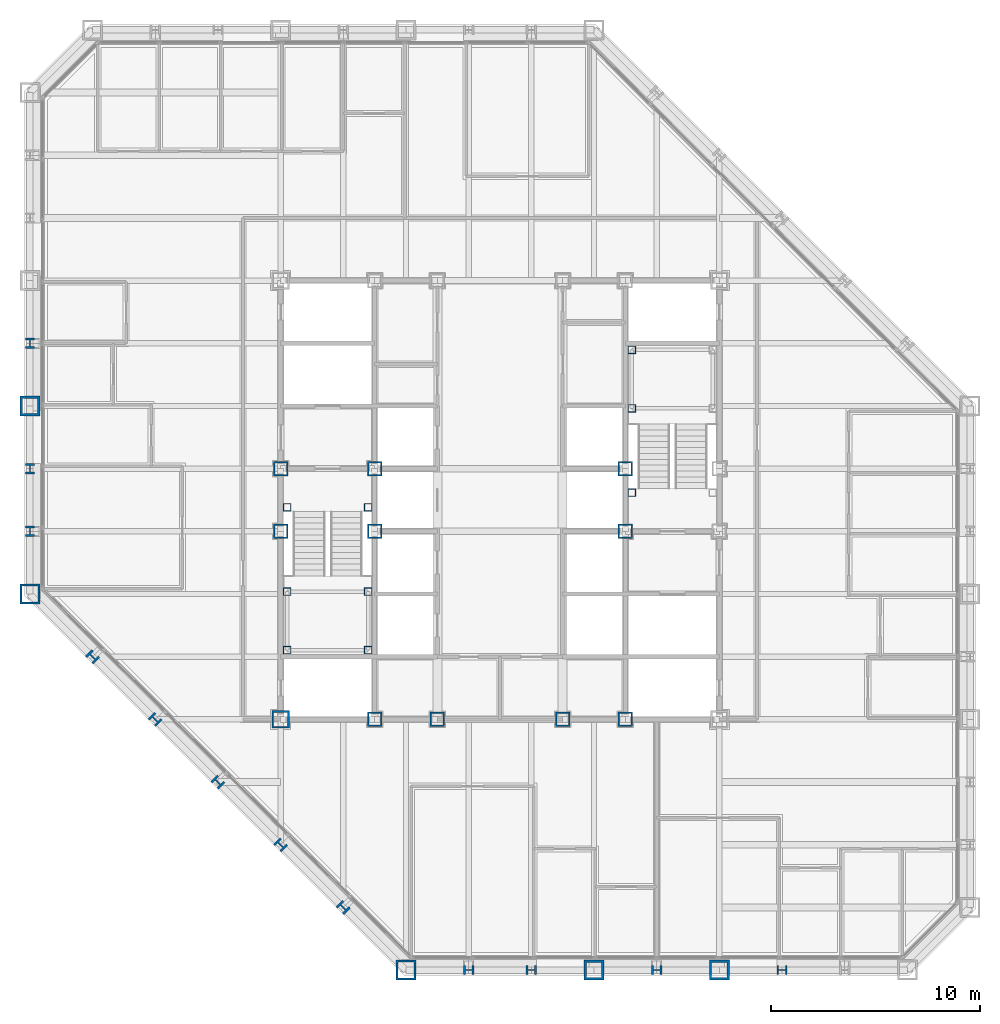
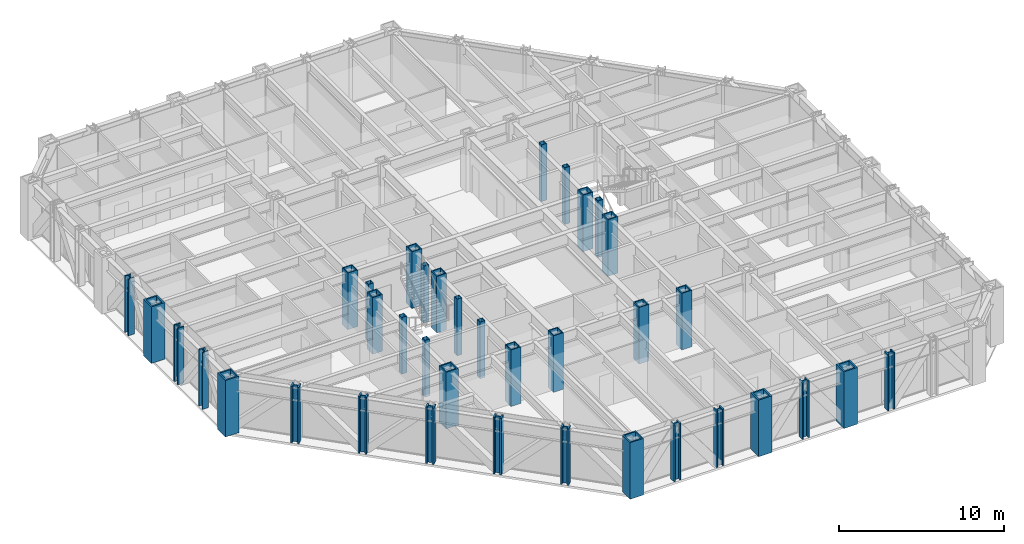
# One storey, part 1 of 16: 37 columns.
"""IFC4 building model written with IfcOpenShell, lengths in metres."""

from ifc_helpers import new_model, si_unit, direction, frame, origin, origin_2d, place, context, subcontext, project, spatial, hollow_rectangle, i_section, extrude, material, material_profile, profile_set, type_object, element, save


model = new_model("IFC4")

# Units and contexts
model_context = context("Model", 3, precision=1e-05, world=origin(), true_north=direction((0.0, 1.0)))
body_context = subcontext(model_context, "Body", "Model", "MODEL_VIEW")
ifc_project = project(units=[si_unit("LENGTHUNIT", "METRE"), si_unit("AREAUNIT", "SQUARE_METRE"), si_unit("VOLUMEUNIT", "CUBIC_METRE"), si_unit("PLANEANGLEUNIT", "RADIAN"), si_unit("MASSUNIT", "GRAM", prefix="KILO")], contexts=[model_context])

# Site, building, storey
site_placement = place(None, origin())
site = spatial("IfcSite", under=ifc_project, at=site_placement, CompositionType="ELEMENT")
building_placement = place(site_placement, origin())
building = spatial("IfcBuilding", under=site, at=building_placement, Name="Chuquiago Exchange Tower", CompositionType="ELEMENT")
storey_placement = place(building_placement, frame((0.0, 0.0, 123.60009765625)))
storey = spatial("IfcBuildingStorey", under=building, at=storey_placement, Name="L26", CompositionType="ELEMENT", Elevation=123.60009765625)

# Columns
ifc_material_1 = material(Name="Steel ASTM A992", Category="steel")
ifc_material_profile_1 = material_profile(ifc_material_1, i_section(OverallWidth=0.431884765625, OverallDepth=0.497802734375, WebThickness=0.0556640625, FlangeThickness=0.0888671875, at=origin_2d()), Name="W14X500")
ifc_profile_set_1 = profile_set([ifc_material_profile_1], Name="Steel ASTM A992")
column_type_1 = type_object("IfcColumnType", Name="C3 W14X500", PredefinedType="COLUMN", material=ifc_profile_set_1)
for number, where, z_axis, x_axis, name in (
    (1, (21.0, 0.0, 0.0), (0.0, 0.0, 1.0), (0.0, -1.0, 0.0), "COL-L26-21_0"),
    (2, (24.0, 0.0, 0.0), (0.0, 0.0, 1.0), (0.0, -1.0, 0.0), "COL-L26-24_0"),
    (3, (30.0, 0.0, 0.0), (0.0, 0.0, 1.0), (0.0, -1.0, 0.0), "COL-L26-30_0"),
    (4, (36.0, 0.0, 0.0), (0.0, 0.0, 1.0), (0.0, -1.0, 0.0), "COL-L26-36_0"),
    (5, (0.0, 30.0, 0.0), (0.0, 0.0, 1.0), (-1.0, 0.0, 0.0), "COL-L26-0_30"),
    (6, (0.0, 24.0, 0.0), (0.0, 0.0, 1.0), (-1.0, 0.0, 0.0), "COL-L26-0_24"),
    (7, (0.0, 21.0, 0.0), (0.0, 0.0, 1.0), (-1.0, 0.0, 0.0), "COL-L26-0_21"),
):
    element("IfcColumn", number, at=place(storey_placement, frame(where, z_axis=z_axis, x_axis=x_axis)), inside=storey, type_object=column_type_1, Name=name, PredefinedType="COLUMN", context=body_context, shape_type="SweptSolid", body=[
        extrude(i_section(OverallWidth=0.431884765625, OverallDepth=0.497802734375, WebThickness=0.0556640625, FlangeThickness=0.0888671875, at=origin_2d()), origin(), (0.0, 0.0, 1.0), 4.199951171875),
    ])
ifc_material_2 = material(Name="Steel ASTM A572 Grade 50", Category="steel")
ifc_material_profile_2 = material_profile(ifc_material_2, hollow_rectangle(XDim=0.699951171875, YDim=0.699951171875, WallThickness=0.070068359375, at=origin_2d()), Name="BOX700X700X70")
ifc_profile_set_2 = profile_set([ifc_material_profile_2], Name="Steel ASTM A572 Grade 50")
column_type_2 = type_object("IfcColumnType", Name="CC3 BOX700X700X70", PredefinedType="COLUMN", material=ifc_profile_set_2)
for number, where, z_axis, x_axis, name in (
    (8, (16.5, 12.0, 0.0), (0.0, 0.0, 1.0), (1.0, 0.0, 0.0), "CCOL-L26-16.5_12"),
    (9, (19.5, 12.0, 0.0), (0.0, 0.0, 1.0), (1.0, 0.0, 0.0), "CCOL-L26-19.5_12"),
    (10, (25.5, 12.0, 0.0), (0.0, 0.0, 1.0), (1.0, 0.0, 0.0), "CCOL-L26-25.5_12"),
    (11, (28.5, 12.0, 0.0), (0.0, 0.0, 1.0), (1.0, 0.0, 0.0), "CCOL-L26-28.5_12"),
    (12, (12.0, 21.0, 0.0), (0.0, 0.0, 1.0), (1.0, 0.0, 0.0), "CCOL-L26-12_21"),
    (13, (12.0, 24.0, 0.0), (0.0, 0.0, 1.0), (1.0, 0.0, 0.0), "CCOL-L26-12_24"),
    (14, (16.5, 21.0, 0.0), (0.0, 0.0, 1.0), (1.0, 0.0, 0.0), "CCOL-L26-16.5_21"),
    (15, (16.5, 24.0, 0.0), (0.0, 0.0, 1.0), (1.0, 0.0, 0.0), "CCOL-L26-16.5_24"),
    (16, (28.5, 21.0, 0.0), (0.0, 0.0, 1.0), (1.0, 0.0, 0.0), "CCOL-L26-28.5_21"),
    (17, (28.5, 24.0, 0.0), (0.0, 0.0, 1.0), (1.0, 0.0, 0.0), "CCOL-L26-28.5_24"),
):
    element("IfcColumn", number, at=place(storey_placement, frame(where, z_axis=z_axis, x_axis=x_axis)), inside=storey, type_object=column_type_2, Name=name, PredefinedType="COLUMN", context=body_context, shape_type="SweptSolid", body=[
        extrude(hollow_rectangle(XDim=0.699951171875, YDim=0.699951171875, WallThickness=0.070068359375, at=origin_2d()), origin(), (0.0, 0.0, 1.0), 4.199951171875),
    ])
ifc_material_3 = material(Name="Steel ASTM A572 Grade 50", Category="steel")
ifc_material_profile_3 = material_profile(ifc_material_3, hollow_rectangle(XDim=0.85009765625, YDim=0.85009765625, WallThickness=0.0849609375, at=origin_2d()), Name="BOX850X850X85")
ifc_profile_set_3 = profile_set([ifc_material_profile_3], Name="Steel ASTM A572 Grade 50")
column_type_3 = type_object("IfcColumnType", Name="CC6 BOX850X850X85", PredefinedType="COLUMN", material=ifc_profile_set_3)
column_placement = place(storey_placement, frame((12.0, 12.0, 0.0), z_axis=(0.0, 0.0, 1.0), x_axis=(1.0, 0.0, 0.0)))
element("IfcColumn", 18, at=column_placement, inside=storey, type_object=column_type_3, Name="CCOL-L26-12_12", PredefinedType="COLUMN", context=body_context, shape_type="SweptSolid", body=[
    extrude(hollow_rectangle(XDim=0.85009765625, YDim=0.85009765625, WallThickness=0.0849609375, at=origin_2d()), origin(), (0.0, 0.0, 1.0), 4.199951171875),
])
ifc_material_4 = material(Name="Steel ASTM A992", Category="steel")
ifc_material_profile_4 = material_profile(ifc_material_4, i_section(OverallWidth=0.44189453125, OverallDepth=0.53076171875, WebThickness=0.06591796875, FlangeThickness=0.105712890625, at=origin_2d()), Name="W14X605")
ifc_profile_set_4 = profile_set([ifc_material_profile_4], Name="Steel ASTM A992")
column_type_4 = type_object("IfcColumnType", Name="CK3 W14X605", PredefinedType="COLUMN", material=ifc_profile_set_4)
for number, where, z_axis, x_axis, name in (
    (19, (3.0, 15.0, 0.0), (0.0, 0.0, 1.0), (-0.707106781187, -0.707106781187, 0.0), "COL-L26-3_15"),
    (20, (6.0, 12.0, 0.0), (0.0, 0.0, 1.0), (-0.707106781187, -0.707106781187, 0.0), "COL-L26-6_12"),
    (21, (9.0, 9.0, 0.0), (0.0, 0.0, 1.0), (-0.707106781187, -0.707106781187, 0.0), "COL-L26-9_9"),
    (22, (12.0, 6.0, 0.0), (0.0, 0.0, 1.0), (-0.707106781187, -0.707106781187, 0.0), "COL-L26-12_6"),
    (23, (15.0, 3.0, 0.0), (0.0, 0.0, 1.0), (-0.707106781187, -0.707106781187, 0.0), "COL-L26-15_3"),
):
    element("IfcColumn", number, at=place(storey_placement, frame(where, z_axis=z_axis, x_axis=x_axis)), inside=storey, type_object=column_type_4, Name=name, PredefinedType="COLUMN", context=body_context, shape_type="SweptSolid", body=[
        extrude(i_section(OverallWidth=0.44189453125, OverallDepth=0.53076171875, WebThickness=0.06591796875, FlangeThickness=0.105712890625, at=origin_2d()), origin(), (0.0, 0.0, 1.0), 4.199951171875),
    ])
ifc_material_5 = material(Name="Steel ASTM A572 Grade 50", Category="steel")
ifc_material_profile_5 = material_profile(ifc_material_5, hollow_rectangle(XDim=0.949951171875, YDim=0.949951171875, WallThickness=0.094970703125, at=origin_2d()), Name="BOX950X950X95")
ifc_profile_set_5 = profile_set([ifc_material_profile_5], Name="Steel ASTM A572 Grade 50")
column_type_5 = type_object("IfcColumnType", Name="CN1 BOX950X950X95", PredefinedType="COLUMN", material=ifc_profile_set_5)
for number, where, z_axis, x_axis, name in (
    (24, (18.0, 0.0, 0.0), (0.0, 0.0, 1.0), (0.0, -1.0, 0.0), "COL-L26-18_0"),
    (25, (0.0, 18.0, 0.0), (0.0, 0.0, 1.0), (-1.0, 0.0, 0.0), "COL-L26-0_18"),
):
    element("IfcColumn", number, at=place(storey_placement, frame(where, z_axis=z_axis, x_axis=x_axis)), inside=storey, type_object=column_type_5, Name=name, PredefinedType="COLUMN", context=body_context, shape_type="SweptSolid", body=[
        extrude(hollow_rectangle(XDim=0.949951171875, YDim=0.949951171875, WallThickness=0.094970703125, at=origin_2d()), origin(), (0.0, 0.0, 1.0), 4.199951171875),
    ])
ifc_material_6 = material(Name="Steel ASTM A572 Grade 42", Category="steel")
ifc_material_profile_6 = material_profile(ifc_material_6, hollow_rectangle(XDim=0.949951171875, YDim=0.949951171875, WallThickness=0.110107421875, at=origin_2d()), Name="BOX950X950X110")
ifc_profile_set_6 = profile_set([ifc_material_profile_6], Name="Steel ASTM A572 Grade 42")
column_type_6 = type_object("IfcColumnType", Name="CT1 BOX950X950X110", PredefinedType="COLUMN", material=ifc_profile_set_6)
for number, where, z_axis, x_axis, name in (
    (26, (27.0, 0.0, 0.0), (0.0, 0.0, 1.0), (0.0, -1.0, 0.0), "COL-L26-27_0"),
    (27, (33.0, 0.0, 0.0), (0.0, 0.0, 1.0), (0.0, -1.0, 0.0), "COL-L26-33_0"),
    (28, (0.0, 27.0, 0.0), (0.0, 0.0, 1.0), (-1.0, 0.0, 0.0), "COL-L26-0_27"),
):
    element("IfcColumn", number, at=place(storey_placement, frame(where, z_axis=z_axis, x_axis=x_axis)), inside=storey, type_object=column_type_6, Name=name, PredefinedType="COLUMN", context=body_context, shape_type="SweptSolid", body=[
        extrude(hollow_rectangle(XDim=0.949951171875, YDim=0.949951171875, WallThickness=0.110107421875, at=origin_2d()), origin(), (0.0, 0.0, 1.0), 4.199951171875),
    ])
ifc_material_7 = material(Name="Steel ASTM A500 Grade C", Category="steel")
ifc_material_profile_7 = material_profile(ifc_material_7, hollow_rectangle(XDim=0.355712890625, YDim=0.355712890625, WallThickness=0.0146484375, at=origin_2d()), Name="HSS14X14X5/8")
ifc_profile_set_7 = profile_set([ifc_material_profile_7], Name="Steel ASTM A500 Grade C")
column_type_7 = type_object("IfcColumnType", Name="PT2 HSS14X14X5/8", PredefinedType="COLUMN", material=ifc_profile_set_7)
for number, where, z_axis, x_axis, name in (
    (29, (12.31005859375, 15.31005859375, 0.0), (0.0, 0.0, 1.0), (1.0, 0.0, 0.0), "Stair ST1 L26 landing post"),
    (30, (16.18994140625, 15.31005859375, 0.0), (0.0, 0.0, 1.0), (1.0, 0.0, 0.0), "Stair ST1 L26 landing post"),
    (31, (12.31005859375, 18.110107421875, 0.0), (0.0, 0.0, 1.0), (1.0, 0.0, 0.0), "Stair ST1 L26 landing post"),
    (32, (16.18994140625, 18.110107421875, 0.0), (0.0, 0.0, 1.0), (1.0, 0.0, 0.0), "Stair ST1 L26 landing post"),
    (33, (12.31005859375, 22.14990234375, 0.0), (0.0, 0.0, 1.0), (1.0, 0.0, 0.0), "Stair ST1 L26 landing post"),
    (34, (16.18994140625, 22.14990234375, 0.0), (0.0, 0.0, 1.0), (1.0, 0.0, 0.0), "Stair ST1 L26 landing post"),
    (35, (28.81005859375, 29.68994140625, 0.0), (0.0, 0.0, 1.0), (1.0, 0.0, 0.0), "Stair ST2 L26 landing post"),
    (36, (28.81005859375, 26.889892578125, 0.0), (0.0, 0.0, 1.0), (1.0, 0.0, 0.0), "Stair ST2 L26 landing post"),
    (37, (28.81005859375, 22.85009765625, 0.0), (0.0, 0.0, 1.0), (1.0, 0.0, 0.0), "Stair ST2 L26 landing post"),
):
    element("IfcColumn", number, at=place(storey_placement, frame(where, z_axis=z_axis, x_axis=x_axis)), inside=storey, type_object=column_type_7, Name=name, PredefinedType="COLUMN", context=body_context, shape_type="SweptSolid", body=[
        extrude(hollow_rectangle(XDim=0.355712890625, YDim=0.355712890625, WallThickness=0.0146484375, at=origin_2d()), origin(), (0.0, 0.0, 1.0), 4.199951171875),
    ])

save(model, "model.ifc")
